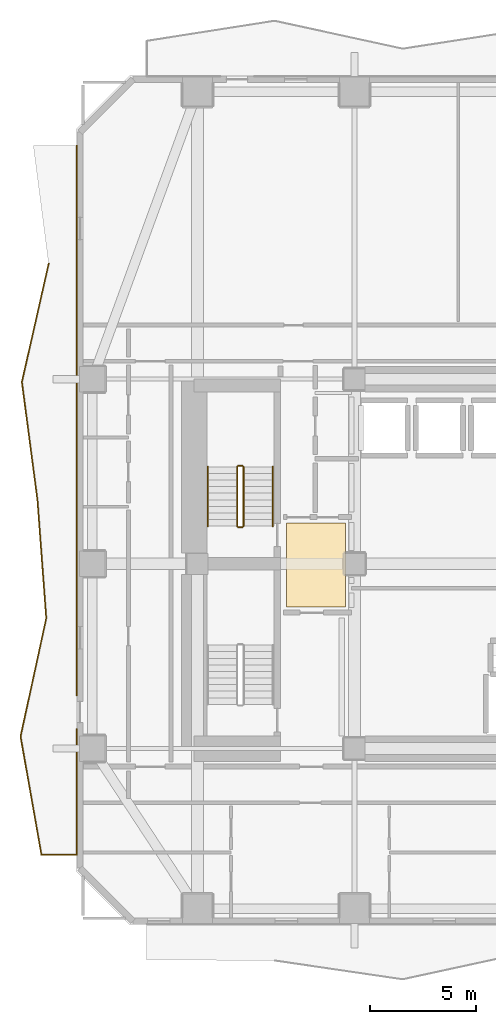
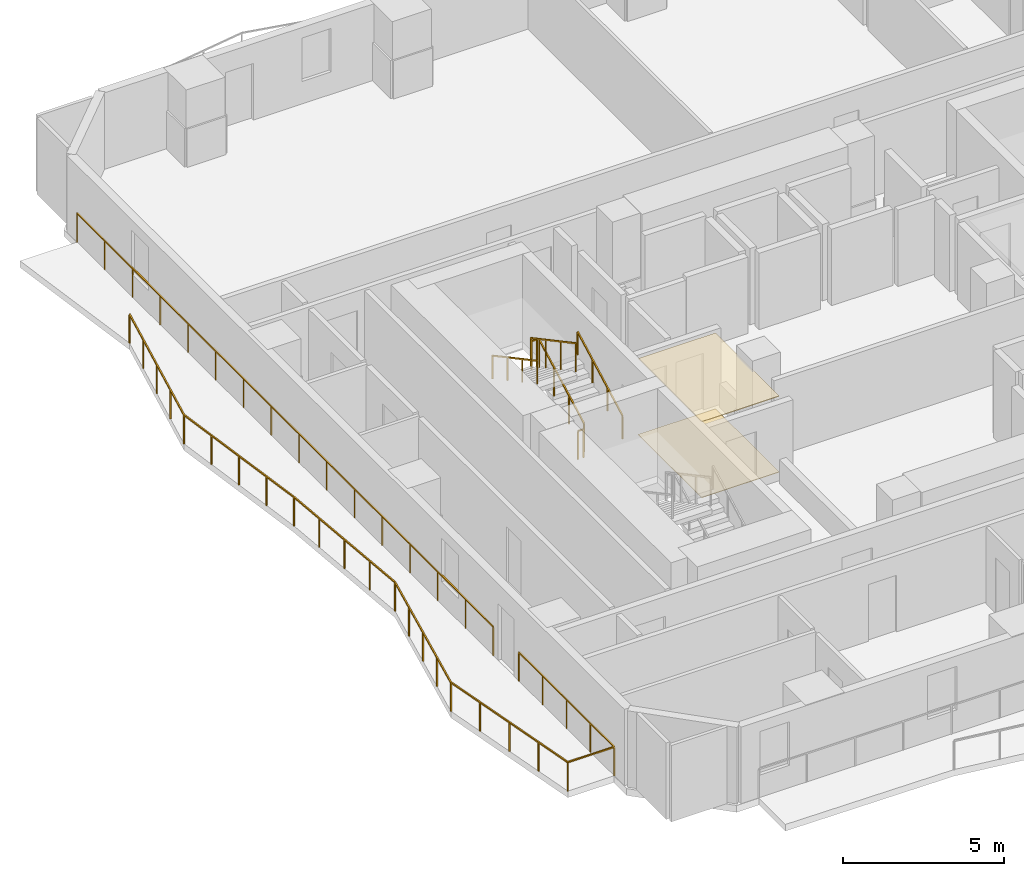
# One storey, part 8 of 10: 8 railings, 2 coverings.
"""IFC4 building model written with IfcOpenShell, lengths in metres."""

import ifcopenshell
import ifcopenshell.guid

model = None  # the IFC model being written
_history = None  # IfcOwnerHistory: only IFC2X3 demands one
_inside = {}  # id of a spatial element -> (the spatial element, [elements in it])
_under = {}  # id of a project, library or spatial element -> (it, [spatial elements below it])
_declared = {}  # id of a project -> (the project, [libraries it declares])
_typed = {}  # id of a type object -> (the type object, [elements of that type])
_made_of = {}  # id of a material, layer set ... -> (it, [elements and type objects made of it])


def new_model(schema):
    """Start an empty IFC model of exactly this schema.

    Asked for "IFC4X3", IfcOpenShell would pick the latest addendum, in which some entities
    have other attributes; the version numbers below select the first issue.
    IFC2X3 requires an IfcOwnerHistory on every rooted entity: one is made here for all.
    """
    global model, _history
    if schema == "IFC4X3":
        model = ifcopenshell.file(schema_version=(4, 3, 0, 0))
    else:
        model = ifcopenshell.file(schema=schema)
    _inside.clear()
    _under.clear()
    _declared.clear()
    _typed.clear()
    _made_of.clear()
    _history = None
    if model.schema == "IFC2X3":
        org = make("IfcOrganization", Name="unknown")
        user = make(
            "IfcPersonAndOrganization",
            ThePerson=make("IfcPerson", FamilyName="unknown"),
            TheOrganization=org,
        )
        app = make(
            "IfcApplication",
            ApplicationDeveloper=org,
            Version="unknown",
            ApplicationFullName="unknown",
            ApplicationIdentifier="unknown",
        )
        _history = make(
            "IfcOwnerHistory",
            OwningUser=user,
            OwningApplication=app,
            ChangeAction="ADDED",
            CreationDate=0,
        )
    return model


def make(cls, **values):
    """One entity of the class cls with the attributes given. An attribute that is None is left unset."""
    return model.create_entity(
        cls, **{name: value for name, value in values.items() if value is not None}
    )


def rooted(cls, **values):
    """An entity with a GlobalId (a new one), such as an element, a storey or a relation."""
    return make(cls, GlobalId=ifcopenshell.guid.new(), OwnerHistory=_history, **values)


def si_unit(unit_type, name, prefix=None):
    """IfcSIUnit, for example si_unit("LENGTHUNIT", "METRE", prefix="MILLI")."""
    return make("IfcSIUnit", UnitType=unit_type, Prefix=prefix, Name=name)


def assignment(units):
    """IfcUnitAssignment: the units of a project."""
    return None if units is None else make("IfcUnitAssignment", Units=units)


def point(xyz):
    """IfcCartesianPoint."""
    return None if xyz is None else make("IfcCartesianPoint", Coordinates=xyz)


def direction(xyz):
    """IfcDirection."""
    return None if xyz is None else make("IfcDirection", DirectionRatios=xyz)


def frame(location, z_axis=None, x_axis=None):
    """IfcAxis2Placement3D, a coordinate frame: its origin and axes. An axis left out is left unset."""
    return make(
        "IfcAxis2Placement3D",
        Location=point(location),
        Axis=direction(z_axis),
        RefDirection=direction(x_axis),
    )


def frame_2d(location, x_axis=None):
    """IfcAxis2Placement2D, a coordinate frame in the plane: its origin and x axis."""
    return make(
        "IfcAxis2Placement2D", Location=point(location), RefDirection=direction(x_axis)
    )


def origin():
    """The frame at (0, 0, 0) with its axes left unset."""
    return frame((0.0, 0.0, 0.0))


def origin_2d():
    """The frame at (0, 0) in the plane with its x axis left unset."""
    return frame_2d((0.0, 0.0))


def place(relative_to, where):
    """IfcLocalPlacement: puts the frame where relative to a parent placement (None: the world)."""
    return make(
        "IfcLocalPlacement", PlacementRelTo=relative_to, RelativePlacement=where
    )


def context(
    kind, dimensions, precision=None, world=None, true_north=None, identifier=None
):
    """IfcGeometricRepresentationContext, for example the 3D "Model" context."""
    return make(
        "IfcGeometricRepresentationContext",
        ContextIdentifier=identifier,
        ContextType=kind,
        CoordinateSpaceDimension=dimensions,
        Precision=precision,
        WorldCoordinateSystem=world,
        TrueNorth=true_north,
    )


def subcontext(parent, identifier, kind, view, scale=None):
    """IfcGeometricRepresentationSubContext, for example "Body" below "Model"."""
    return make(
        "IfcGeometricRepresentationSubContext",
        ContextIdentifier=identifier,
        ContextType=kind,
        ParentContext=parent,
        TargetScale=scale,
        TargetView=view,
    )


def project(units=None, contexts=None):
    """IfcProject with its units and contexts."""
    return rooted(
        "IfcProject",
        Name="project",
        RepresentationContexts=contexts,
        UnitsInContext=assignment(units),
    )


def spatial(cls, under=None, at=None, **own):
    """A site, building, storey or space (cls), placed at a placement, below another one or the project."""
    s = rooted(cls, ObjectPlacement=at, **own)
    if under is not None:
        _under.setdefault(under.id(), (under, []))[1].append(s)
    return s


def polyline(points):
    """IfcPolyline through the points."""
    return make("IfcPolyline", Points=[point(p) for p in points])


def profile(cls, at=None, kind="AREA", **sizes):
    """A parametric profile (cls). Its sizes go by their IFC names, for example OverallWidth=200.0."""
    return make(cls, ProfileType=kind, Position=at, **sizes)


def rectangle(**sizes):
    """IfcRectangleProfileDef."""
    return profile("IfcRectangleProfileDef", **sizes)


def outline(outer, holes=None, kind="AREA"):
    """IfcArbitraryClosedProfileDef: a profile drawn as a closed curve; with holes, ...WithVoids."""
    if holes is None:
        return make("IfcArbitraryClosedProfileDef", ProfileType=kind, OuterCurve=outer)
    return make(
        "IfcArbitraryProfileDefWithVoids",
        ProfileType=kind,
        OuterCurve=outer,
        InnerCurves=holes,
    )


def extrude(swept, where, along, depth):
    """IfcExtrudedAreaSolid: the profile swept, set in the frame where, extruded along a direction by depth."""
    return make(
        "IfcExtrudedAreaSolid",
        SweptArea=swept,
        Position=where,
        ExtrudedDirection=direction(along),
        Depth=depth,
    )


def shape(context_of_items, identifier, shape_type, items):
    """IfcShapeRepresentation: the items that make up one representation, for example the "Body"."""
    return make(
        "IfcShapeRepresentation",
        ContextOfItems=context_of_items,
        RepresentationIdentifier=identifier,
        RepresentationType=shape_type,
        Items=items,
    )


def material(Name=None, Category=None):
    """IfcMaterial."""
    return make("IfcMaterial", Name=Name, Category=Category)


def layer(
    of_material, thickness, ventilated=None, Name=None, Category=None, Priority=None
):
    """IfcMaterialLayer: one layer of a wall or slab, of a material (None: an air gap)."""
    return make(
        "IfcMaterialLayer",
        Material=of_material,
        LayerThickness=thickness,
        IsVentilated=ventilated,
        Name=Name,
        Category=Category,
        Priority=Priority,
    )


def layer_set(layers, Name=None):
    """IfcMaterialLayerSet."""
    return make("IfcMaterialLayerSet", MaterialLayers=layers, LayerSetName=Name)


def made_of(thing, what):
    """Note that an element or type object is made of a material, layer set ...; save() writes the relation."""
    if what is not None:
        _made_of.setdefault(what.id(), (what, []))[1].append(thing)
    return thing


def type_object(cls, material=None, **own):
    """A type object (cls), such as IfcWallType, which elements share."""
    return made_of(rooted(cls, **own), material)


def element(
    cls,
    number,
    at=None,
    inside=None,
    cuts=None,
    type_object=None,
    material=None,
    context=None,
    identifier="Body",
    shape_type=None,
    held_by="IfcProductDefinitionShape",
    body=None,
    shapes=None,
    **own,
):
    """One element of the class cls, such as IfcWall. Its Tag is "e" and its number.

    at: its placement. inside: the storey or other place that contains it. cuts: it is an
    opening in that element (IfcRelVoidsElement). A single representation is given by context,
    identifier, shape_type and body (its items); several are given by shapes. held_by: the class
    of the entity that holds the representations. save() writes the other relations.
    """
    e = rooted(cls, Tag="e%d" % number, ObjectPlacement=at, **own)
    if body is not None:
        shapes = [shape(context, identifier, shape_type, body)]
    if shapes is not None:
        e.Representation = make(held_by, Representations=shapes)
    if inside is not None:
        _inside.setdefault(inside.id(), (inside, []))[1].append(e)
    if cuts is not None:
        rooted(
            "IfcRelVoidsElement", RelatingBuildingElement=cuts, RelatedOpeningElement=e
        )
    if type_object is not None:
        _typed.setdefault(type_object.id(), (type_object, []))[1].append(e)
    return made_of(e, material)


def aggregate(whole, parts):
    """IfcRelAggregates: a whole, such as a stair, and the parts it consists of."""
    return rooted("IfcRelAggregates", RelatingObject=whole, RelatedObjects=parts)


def save(model, path):
    """Write the relations noted so far, then the file.

    IfcRelAggregates (storeys below a building ...), IfcRelContainedInSpatialStructure (elements
    in a storey), IfcRelDefinesByType, IfcRelAssociatesMaterial and IfcRelDeclares: one each for
    every whole, place, type object, material and project.
    """
    for whole, parts in _under.values():
        aggregate(whole, parts)
    for where, things in _inside.values():
        rooted(
            "IfcRelContainedInSpatialStructure",
            RelatedElements=things,
            RelatingStructure=where,
        )
    for kind, things in _typed.values():
        rooted("IfcRelDefinesByType", RelatedObjects=things, RelatingType=kind)
    for what, things in _made_of.values():
        rooted("IfcRelAssociatesMaterial", RelatedObjects=things, RelatingMaterial=what)
    for by, libraries in _declared.values():
        rooted("IfcRelDeclares", RelatingContext=by, RelatedDefinitions=libraries)
    model.write(path)


model = new_model("IFC4")

# Units and contexts
model_context = context("Model", 3, precision=1e-05, world=origin(), true_north=direction((0.0, 1.0)))
body_context = subcontext(model_context, "Body", "Model", "MODEL_VIEW")
ifc_project = project(units=[si_unit("LENGTHUNIT", "METRE"), si_unit("AREAUNIT", "SQUARE_METRE"), si_unit("VOLUMEUNIT", "CUBIC_METRE"), si_unit("PLANEANGLEUNIT", "RADIAN"), si_unit("MASSUNIT", "GRAM", prefix="KILO")], contexts=[model_context])

# Site, building, storey
site_placement = place(None, origin())
site = spatial("IfcSite", under=ifc_project, at=site_placement, CompositionType="ELEMENT")
building_placement = place(site_placement, origin())
building = spatial("IfcBuilding", under=site, at=building_placement, Name="Solanera Arch Residences", CompositionType="ELEMENT")
storey_placement = place(building_placement, frame((0.0, 0.0, 78.43994140625)))
storey = spatial("IfcBuildingStorey", under=building, at=storey_placement, Name="L22", CompositionType="ELEMENT", Elevation=78.43994140625)

# Railings
ifc_material_1 = material(Name="Steel S355 (ASTM A992 / A572 Grade 50)", Category="steel")
railing_type_1 = type_object("IfcRailingType", Name="Balustrade Railing BL-1100", PredefinedType="BALUSTRADE", material=ifc_material_1)
railing_1_placement = place(storey_placement, frame((6.387939453125, 44.8330078125, 0.0)))
element("IfcRailing", 1, at=railing_1_placement, inside=storey, type_object=railing_type_1, Name="L22 W Balcony Balustrade 1", PredefinedType="BALUSTRADE", context=body_context, shape_type="SweptSolid", body=[
    extrude(rectangle(XDim=0.048095703125, YDim=0.048095703125, at=origin_2d()), frame((0.0, 0.0, 1.09619140625), z_axis=(-0.220955408433, -0.97528391122, 0.0), x_axis=(0.97528391122, -0.220955408433, 0.0)), (0.0, 0.0, 1.0), 5.70703125),
    extrude(rectangle(XDim=0.048095703125, YDim=0.048095703125, at=origin_2d()), frame((-1.260986328125, -5.56591796875, 1.09619140625), z_axis=(0.130907731801, -0.991394556045, 0.0), x_axis=(0.991394556045, 0.130907731801, 0.0)), (0.0, 0.0, 1.0), 5.615478515625),
    extrude(rectangle(XDim=0.048095703125, YDim=0.048095703125, at=origin_2d()), frame((-0.52587890625, -11.133056640625, 1.09619140625), z_axis=(0.073957068309, -0.99726142613, 0.0), x_axis=(0.99726142613, 0.073957068309, 0.0)), (0.0, 0.0, 1.0), 5.582275390625),
    extrude(rectangle(XDim=0.048095703125, YDim=0.048095703125, at=origin_2d()), frame((-0.113037109375, -16.699951171875, 1.09619140625), z_axis=(-0.212580886267, -0.977143472983, 0.0), x_axis=(0.977143472983, -0.212580886267, 0.0)), (0.0, 0.0, 1.0), 5.6962890625),
    extrude(rectangle(XDim=0.048095703125, YDim=0.048095703125, at=origin_2d()), frame((-1.323974609375, -22.26611328125, 1.09619140625), z_axis=(0.174250928477, -0.98470128157, 0.0), x_axis=(0.98470128157, 0.174250928477, 0.0)), (0.0, 0.0, 1.0), 5.6533203125),
    extrude(rectangle(XDim=0.048095703125, YDim=0.048095703125, at=origin_2d()), frame((-0.3388671875, -27.8330078125, 1.09619140625), z_axis=(1.0, 0.0, 0.0), x_axis=(0.0, 1.0, 0.0)), (0.0, 0.0, 1.0), 1.6708984375),
    extrude(rectangle(XDim=0.048095703125, YDim=0.048095703125, at=origin_2d()), frame((1.33203125, -27.8330078125, 1.09619140625), z_axis=(0.0, 1.0, 0.0), x_axis=(-1.0, 0.0, 0.0)), (0.0, 0.0, 1.0), 5.9189453125),
    extrude(rectangle(XDim=0.0419921875, YDim=0.0419921875, at=origin_2d()), origin(), (0.0, 0.0, 1.0), 1.072021484375),
    extrude(rectangle(XDim=0.0419921875, YDim=0.0419921875, at=origin_2d()), frame((-0.315185546875, -1.3916015625, 0.0)), (0.0, 0.0, 1.0), 1.072021484375),
    extrude(rectangle(XDim=0.0419921875, YDim=0.0419921875, at=origin_2d()), frame((-0.63037109375, -2.782958984375, 0.0)), (0.0, 0.0, 1.0), 1.072021484375),
    extrude(rectangle(XDim=0.0419921875, YDim=0.0419921875, at=origin_2d()), frame((-0.94580078125, -4.17431640625, 0.0)), (0.0, 0.0, 1.0), 1.072021484375),
    extrude(rectangle(XDim=0.0419921875, YDim=0.0419921875, at=origin_2d()), frame((-1.260986328125, -5.56591796875, 0.0)), (0.0, 0.0, 1.0), 1.072021484375),
    extrude(rectangle(XDim=0.0419921875, YDim=0.0419921875, at=origin_2d()), frame((-1.0771484375, -6.957763671875, 0.0)), (0.0, 0.0, 1.0), 1.072021484375),
    extrude(rectangle(XDim=0.0419921875, YDim=0.0419921875, at=origin_2d()), frame((-0.8935546875, -8.349609375, 0.0)), (0.0, 0.0, 1.0), 1.072021484375),
    extrude(rectangle(XDim=0.0419921875, YDim=0.0419921875, at=origin_2d()), frame((-0.709716796875, -9.7412109375, 0.0)), (0.0, 0.0, 1.0), 1.072021484375),
    extrude(rectangle(XDim=0.0419921875, YDim=0.0419921875, at=origin_2d()), frame((-0.52587890625, -11.133056640625, 0.0)), (0.0, 0.0, 1.0), 1.072021484375),
    extrude(rectangle(XDim=0.0419921875, YDim=0.0419921875, at=origin_2d()), frame((-0.422607421875, -12.52490234375, 0.0)), (0.0, 0.0, 1.0), 1.072021484375),
    extrude(rectangle(XDim=0.0419921875, YDim=0.0419921875, at=origin_2d()), frame((-0.3193359375, -13.91650390625, 0.0)), (0.0, 0.0, 1.0), 1.072021484375),
    extrude(rectangle(XDim=0.0419921875, YDim=0.0419921875, at=origin_2d()), frame((-0.21630859375, -15.30810546875, 0.0)), (0.0, 0.0, 1.0), 1.072021484375),
    extrude(rectangle(XDim=0.0419921875, YDim=0.0419921875, at=origin_2d()), frame((-0.113037109375, -16.699951171875, 0.0)), (0.0, 0.0, 1.0), 1.072021484375),
    extrude(rectangle(XDim=0.0419921875, YDim=0.0419921875, at=origin_2d()), frame((-0.415771484375, -18.091552734375, 0.0)), (0.0, 0.0, 1.0), 1.072021484375),
    extrude(rectangle(XDim=0.0419921875, YDim=0.0419921875, at=origin_2d()), frame((-0.718505859375, -19.48291015625, 0.0)), (0.0, 0.0, 1.0), 1.072021484375),
    extrude(rectangle(XDim=0.0419921875, YDim=0.0419921875, at=origin_2d()), frame((-1.021240234375, -20.87451171875, 0.0)), (0.0, 0.0, 1.0), 1.072021484375),
    extrude(rectangle(XDim=0.0419921875, YDim=0.0419921875, at=origin_2d()), frame((-1.323974609375, -22.26611328125, 0.0)), (0.0, 0.0, 1.0), 1.072021484375),
    extrude(rectangle(XDim=0.0419921875, YDim=0.0419921875, at=origin_2d()), frame((-1.07763671875, -23.65771484375, 0.0)), (0.0, 0.0, 1.0), 1.072021484375),
    extrude(rectangle(XDim=0.0419921875, YDim=0.0419921875, at=origin_2d()), frame((-0.83154296875, -25.049560546875, 0.0)), (0.0, 0.0, 1.0), 1.072021484375),
    extrude(rectangle(XDim=0.0419921875, YDim=0.0419921875, at=origin_2d()), frame((-0.585205078125, -26.44140625, 0.0)), (0.0, 0.0, 1.0), 1.072021484375),
    extrude(rectangle(XDim=0.0419921875, YDim=0.0419921875, at=origin_2d()), frame((-0.3388671875, -27.8330078125, 0.0)), (0.0, 0.0, 1.0), 1.072021484375),
    extrude(rectangle(XDim=0.0419921875, YDim=0.0419921875, at=origin_2d()), frame((1.33203125, -27.8330078125, 0.0)), (0.0, 0.0, 1.0), 1.072021484375),
    extrude(rectangle(XDim=0.0419921875, YDim=0.0419921875, at=origin_2d()), frame((1.33203125, -26.353271484375, 0.0)), (0.0, 0.0, 1.0), 1.072021484375),
    extrude(rectangle(XDim=0.0419921875, YDim=0.0419921875, at=origin_2d()), frame((1.33203125, -24.87353515625, 0.0)), (0.0, 0.0, 1.0), 1.072021484375),
    extrude(rectangle(XDim=0.0419921875, YDim=0.0419921875, at=origin_2d()), frame((1.33203125, -23.393798828125, 0.0)), (0.0, 0.0, 1.0), 1.072021484375),
    extrude(rectangle(XDim=0.0419921875, YDim=0.0419921875, at=origin_2d()), frame((1.33203125, -21.9140625, 0.0)), (0.0, 0.0, 1.0), 1.072021484375),
])
railing_2_placement = place(storey_placement, frame((7.719970703125, 24.51904296875, 0.0)))
element("IfcRailing", 2, at=railing_2_placement, inside=storey, type_object=railing_type_1, Name="L22 W Balcony Balustrade 2", PredefinedType="BALUSTRADE", context=body_context, shape_type="SweptSolid", body=[
    extrude(rectangle(XDim=0.048095703125, YDim=0.048095703125, at=origin_2d()), frame((0.0, 0.0, 1.09619140625), z_axis=(0.0, 1.0, 0.0), x_axis=(-1.0, 0.0, 0.0)), (0.0, 0.0, 1.0), 25.880859375),
    extrude(rectangle(XDim=0.0419921875, YDim=0.0419921875, at=origin_2d()), origin(), (0.0, 0.0, 1.0), 1.072021484375),
    extrude(rectangle(XDim=0.0419921875, YDim=0.0419921875, at=origin_2d()), frame((0.0, 1.725341796875, 0.0)), (0.0, 0.0, 1.0), 1.072021484375),
    extrude(rectangle(XDim=0.0419921875, YDim=0.0419921875, at=origin_2d()), frame((0.0, 3.45068359375, 0.0)), (0.0, 0.0, 1.0), 1.072021484375),
    extrude(rectangle(XDim=0.0419921875, YDim=0.0419921875, at=origin_2d()), frame((0.0, 5.17626953125, 0.0)), (0.0, 0.0, 1.0), 1.072021484375),
    extrude(rectangle(XDim=0.0419921875, YDim=0.0419921875, at=origin_2d()), frame((0.0, 6.901611328125, 0.0)), (0.0, 0.0, 1.0), 1.072021484375),
    extrude(rectangle(XDim=0.0419921875, YDim=0.0419921875, at=origin_2d()), frame((0.0, 8.626953125, 0.0)), (0.0, 0.0, 1.0), 1.072021484375),
    extrude(rectangle(XDim=0.0419921875, YDim=0.0419921875, at=origin_2d()), frame((0.0, 10.352294921875, 0.0)), (0.0, 0.0, 1.0), 1.072021484375),
    extrude(rectangle(XDim=0.0419921875, YDim=0.0419921875, at=origin_2d()), frame((0.0, 12.07763671875, 0.0)), (0.0, 0.0, 1.0), 1.072021484375),
    extrude(rectangle(XDim=0.0419921875, YDim=0.0419921875, at=origin_2d()), frame((0.0, 13.80322265625, 0.0)), (0.0, 0.0, 1.0), 1.072021484375),
    extrude(rectangle(XDim=0.0419921875, YDim=0.0419921875, at=origin_2d()), frame((0.0, 15.528564453125, 0.0)), (0.0, 0.0, 1.0), 1.072021484375),
    extrude(rectangle(XDim=0.0419921875, YDim=0.0419921875, at=origin_2d()), frame((0.0, 17.25390625, 0.0)), (0.0, 0.0, 1.0), 1.072021484375),
    extrude(rectangle(XDim=0.0419921875, YDim=0.0419921875, at=origin_2d()), frame((0.0, 18.979248046875, 0.0)), (0.0, 0.0, 1.0), 1.072021484375),
    extrude(rectangle(XDim=0.0419921875, YDim=0.0419921875, at=origin_2d()), frame((0.0, 20.70458984375, 0.0)), (0.0, 0.0, 1.0), 1.072021484375),
    extrude(rectangle(XDim=0.0419921875, YDim=0.0419921875, at=origin_2d()), frame((0.0, 22.43017578125, 0.0)), (0.0, 0.0, 1.0), 1.072021484375),
    extrude(rectangle(XDim=0.0419921875, YDim=0.0419921875, at=origin_2d()), frame((0.0, 24.155517578125, 0.0)), (0.0, 0.0, 1.0), 1.072021484375),
    extrude(rectangle(XDim=0.0419921875, YDim=0.0419921875, at=origin_2d()), frame((0.0, 25.880859375, 0.0)), (0.0, 0.0, 1.0), 1.072021484375),
])

# Covering
ifc_material_2 = material(Name="Porcelain Acoustic Floor Tile", Category="ceramic")
ifc_layer_1 = layer(ifc_material_2, 0.02001953125)
ifc_layer_set_1 = layer_set([ifc_layer_1], Name="Porcelain Acoustic Floor Tile")
covering_type_1 = type_object("IfcCoveringType", Name="Porcelain Acoustic Floor Finish FLR-20", PredefinedType="FLOORING", material=ifc_layer_set_1)
covering_1_placement = place(storey_placement, origin())
element("IfcCovering", 3, at=covering_1_placement, inside=storey, type_object=covering_type_1, Name="L22-FFL-W Porcelain Floor Finish", PredefinedType="FLOORING", context=body_context, shape_type="SweptSolid", body=[
    extrude(outline(polyline([(20.375, 28.675048828125), (17.594970703125, 28.675048828125), (17.594970703125, 32.625), (20.375, 32.625), (20.375, 28.675048828125)])), origin(), (0.0, 0.0, 1.0), 0.02001953125),
])

# Railings
ifc_material_3 = material(Name="Steel S355 (ASTM A992 / A572 Grade 50)", Category="steel")
railing_type_2 = type_object("IfcRailingType", Name="Stair Guardrail GR-1100", PredefinedType="GUARDRAIL", material=ifc_material_3)
railing_3_placement = place(storey_placement, frame((15.570068359375, 32.47998046875, 0.151123046875)))
element("IfcRailing", 4, at=railing_3_placement, inside=storey, type_object=railing_type_2, Name="L22 ST-T1 stair guard 1", PredefinedType="GUARDRAIL", context=body_context, shape_type="SweptSolid", body=[
    extrude(rectangle(XDim=0.048095703125, YDim=0.048095703125, at=origin_2d()), frame((0.0, 0.0, 1.076171875), z_axis=(0.0, 0.881580869306, 0.472033018838), x_axis=(-1.0, 0.0, 0.0)), (0.0, 0.0, 1.0), 3.164794921875),
    extrude(rectangle(XDim=0.0419921875, YDim=0.0419921875, at=origin_2d()), origin(), (0.0, 0.0, 1.0), 1.052001953125),
    extrude(rectangle(XDim=0.0419921875, YDim=0.0419921875, at=origin_2d()), frame((0.0, 0.929931640625, 0.498046875)), (0.0, 0.0, 1.0), 1.052001953125),
    extrude(rectangle(XDim=0.0419921875, YDim=0.0419921875, at=origin_2d()), frame((0.0, 1.860107421875, 0.995849609375)), (0.0, 0.0, 1.0), 1.052001953125),
    extrude(rectangle(XDim=0.0419921875, YDim=0.0419921875, at=origin_2d()), frame((0.0, 2.7900390625, 1.493896484375)), (0.0, 0.0, 1.0), 1.052001953125),
])
railing_4_placement = place(storey_placement, frame((15.52001953125, 35.320068359375, 1.64501953125)))
element("IfcRailing", 5, at=railing_4_placement, inside=storey, type_object=railing_type_2, Name="L22 ST-T1 stair guard 2", PredefinedType="GUARDRAIL", context=body_context, shape_type="SweptSolid", body=[
    extrude(rectangle(XDim=0.048095703125, YDim=0.048095703125, at=origin_2d()), frame((0.0, 0.0, 1.076171875), z_axis=(-1.0, 0.0, 0.0), x_axis=(0.0, -1.0, 0.0)), (0.0, 0.0, 1.0), 0.199951171875),
    extrude(rectangle(XDim=0.0419921875, YDim=0.0419921875, at=origin_2d()), origin(), (0.0, 0.0, 1.0), 1.052001953125),
    extrude(rectangle(XDim=0.0419921875, YDim=0.0419921875, at=origin_2d()), frame((-0.199951171875, 0.0, 0.0)), (0.0, 0.0, 1.0), 1.052001953125),
])
railing_5_placement = place(storey_placement, frame((15.27001953125, 35.27001953125, 1.81103515625)))
element("IfcRailing", 6, at=railing_5_placement, inside=storey, type_object=railing_type_2, Name="L22 ST-T1 stair guard 3", PredefinedType="GUARDRAIL", context=body_context, shape_type="SweptSolid", body=[
    extrude(rectangle(XDim=0.048095703125, YDim=0.048095703125, at=origin_2d()), frame((0.0, 0.0, 1.076171875), z_axis=(0.0, -0.881548766853, 0.472092969298), x_axis=(1.0, 0.0, 0.0)), (0.0, 0.0, 1.0), 3.1650390625),
    extrude(rectangle(XDim=0.0419921875, YDim=0.0419921875, at=origin_2d()), origin(), (0.0, 0.0, 1.0), 1.052001953125),
    extrude(rectangle(XDim=0.0419921875, YDim=0.0419921875, at=origin_2d()), frame((0.0, -0.929931640625, 0.498046875)), (0.0, 0.0, 1.0), 1.052001953125),
    extrude(rectangle(XDim=0.0419921875, YDim=0.0419921875, at=origin_2d()), frame((0.0, -1.860107421875, 0.99609375)), (0.0, 0.0, 1.0), 1.052001953125),
    extrude(rectangle(XDim=0.0419921875, YDim=0.0419921875, at=origin_2d()), frame((0.0, -2.7900390625, 1.494140625)), (0.0, 0.0, 1.0), 1.052001953125),
])
railing_6_placement = place(storey_placement, frame((15.52001953125, 32.429931640625, -0.014892578125)))
element("IfcRailing", 7, at=railing_6_placement, inside=storey, type_object=railing_type_2, Name="L22 ST-T1 stair guard 4", PredefinedType="GUARDRAIL", context=body_context, shape_type="SweptSolid", body=[
    extrude(rectangle(XDim=0.048095703125, YDim=0.048095703125, at=origin_2d()), frame((0.0, 0.0, 1.076171875), z_axis=(-1.0, 0.0, 0.0), x_axis=(0.0, -1.0, 0.0)), (0.0, 0.0, 1.0), 0.199951171875),
    extrude(rectangle(XDim=0.0419921875, YDim=0.0419921875, at=origin_2d()), origin(), (0.0, 0.0, 1.0), 1.052001953125),
    extrude(rectangle(XDim=0.0419921875, YDim=0.0419921875, at=origin_2d()), frame((-0.199951171875, 0.0, 0.0)), (0.0, 0.0, 1.0), 1.052001953125),
])
ifc_material_4 = material(Name="Steel S355 (ASTM A992 / A572 Grade 50)", Category="steel")
railing_type_3 = type_object("IfcRailingType", Name="Stair Wall Handrail HR-920", PredefinedType="HANDRAIL", material=ifc_material_4)
railing_7_placement = place(storey_placement, frame((16.949951171875, 32.47998046875, 0.166015625)))
element("IfcRailing", 8, at=railing_7_placement, inside=storey, type_object=railing_type_3, Name="L22 ST-T1 stair handrail 1", PredefinedType="HANDRAIL", context=body_context, shape_type="SweptSolid", body=[
    extrude(rectangle(XDim=0.048095703125, YDim=0.048095703125, at=origin_2d()), frame((0.0, 0.0, 0.8759765625), z_axis=(0.0, 0.881548766853, 0.472092969298), x_axis=(-1.0, 0.0, 0.0)), (0.0, 0.0, 1.0), 3.1650390625),
    extrude(rectangle(XDim=0.0419921875, YDim=0.0419921875, at=origin_2d()), origin(), (0.0, 0.0, 1.0), 0.851806640625),
    extrude(rectangle(XDim=0.0419921875, YDim=0.0419921875, at=origin_2d()), frame((0.0, 0.929931640625, 0.498046875)), (0.0, 0.0, 1.0), 0.851806640625),
    extrude(rectangle(XDim=0.0419921875, YDim=0.0419921875, at=origin_2d()), frame((0.0, 1.860107421875, 0.99609375)), (0.0, 0.0, 1.0), 0.851806640625),
    extrude(rectangle(XDim=0.0419921875, YDim=0.0419921875, at=origin_2d()), frame((0.0, 2.7900390625, 1.494140625)), (0.0, 0.0, 1.0), 0.851806640625),
])
railing_8_placement = place(storey_placement, frame((13.889892578125, 35.27001953125, 1.826171875)))
element("IfcRailing", 9, at=railing_8_placement, inside=storey, type_object=railing_type_3, Name="L22 ST-T1 stair handrail 2", PredefinedType="HANDRAIL", context=body_context, shape_type="SweptSolid", body=[
    extrude(rectangle(XDim=0.048095703125, YDim=0.048095703125, at=origin_2d()), frame((0.0, 0.0, 0.8759765625), z_axis=(0.0, -0.881580869306, 0.472033018838), x_axis=(1.0, 0.0, 0.0)), (0.0, 0.0, 1.0), 3.164794921875),
    extrude(rectangle(XDim=0.0419921875, YDim=0.0419921875, at=origin_2d()), origin(), (0.0, 0.0, 1.0), 0.851806640625),
    extrude(rectangle(XDim=0.0419921875, YDim=0.0419921875, at=origin_2d()), frame((0.0, -0.929931640625, 0.498046875)), (0.0, 0.0, 1.0), 0.851806640625),
    extrude(rectangle(XDim=0.0419921875, YDim=0.0419921875, at=origin_2d()), frame((0.0, -1.860107421875, 0.995849609375)), (0.0, 0.0, 1.0), 0.851806640625),
    extrude(rectangle(XDim=0.0419921875, YDim=0.0419921875, at=origin_2d()), frame((0.0, -2.7900390625, 1.493896484375)), (0.0, 0.0, 1.0), 0.851806640625),
])

# Covering
ifc_material_5 = material(Name="Mineral Fibre Acoustic Ceiling Board", Category="gypsum")
ifc_layer_2 = layer(ifc_material_5, 0.02490234375)
ifc_layer_set_2 = layer_set([ifc_layer_2], Name="Mineral Fibre Acoustic Ceiling Board")
covering_type_2 = type_object("IfcCoveringType", Name="Suspended Acoustic Ceiling Board CLG-25", PredefinedType="CEILING", material=ifc_layer_set_2)
covering_2_placement = place(storey_placement, frame((0.0, 0.0, 2.875)))
element("IfcCovering", 10, at=covering_2_placement, inside=storey, type_object=covering_type_2, Name="L22-FFL-W Acoustic Ceiling", PredefinedType="CEILING", context=body_context, shape_type="SweptSolid", body=[
    extrude(outline(polyline([(20.375, 28.675048828125), (17.594970703125, 28.675048828125), (17.594970703125, 32.625), (20.375, 32.625), (20.375, 28.675048828125)])), origin(), (0.0, 0.0, 1.0), 0.025146484375),
])

save(model, "model.ifc")
